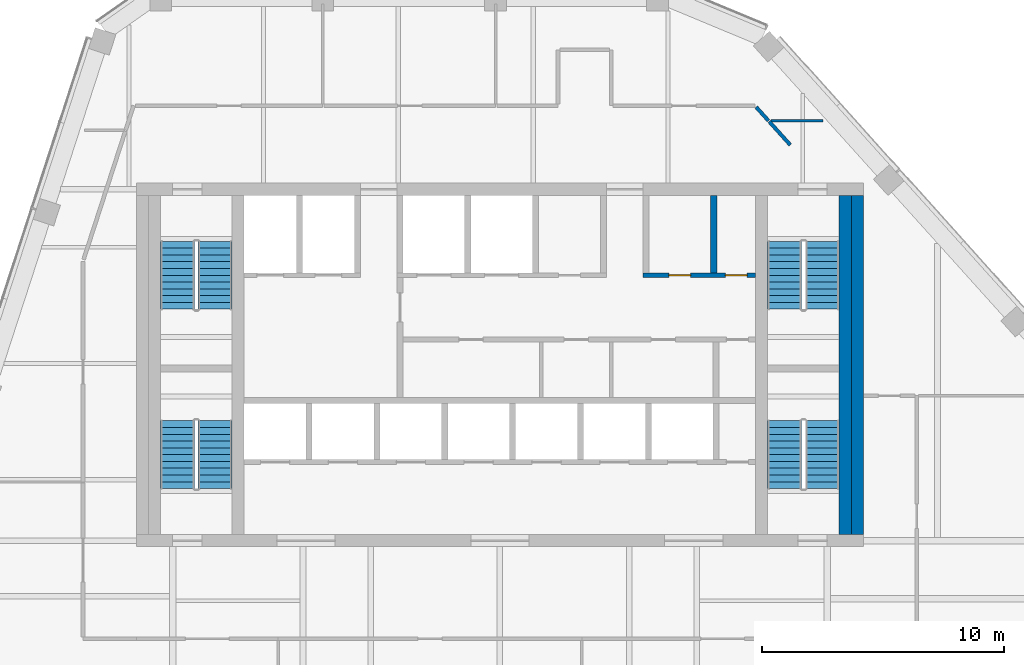
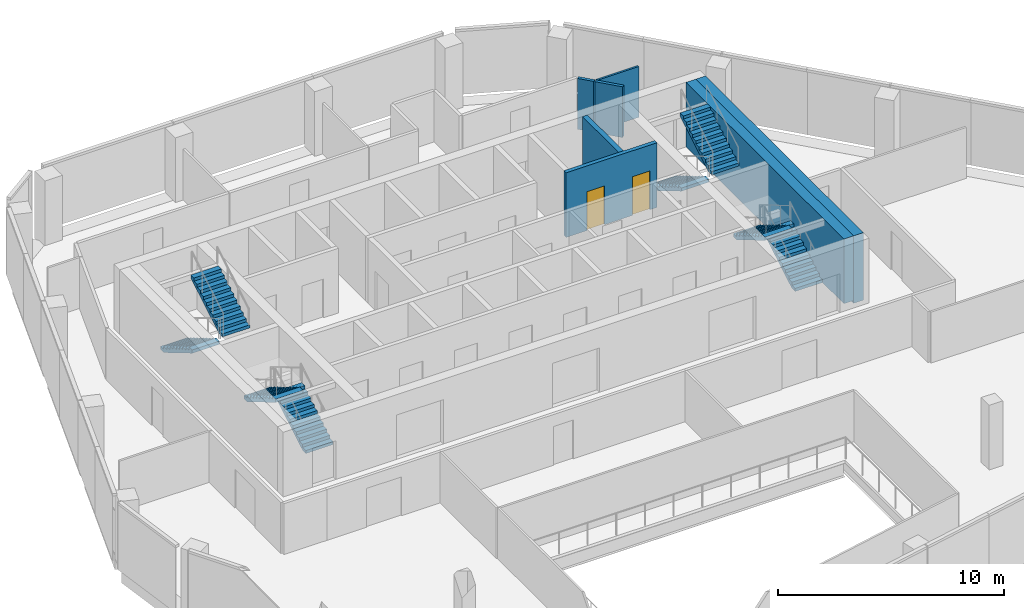
# One storey, part 10 of 15: 8 stair flights, 7 walls, 2 doors, 2 openings, 4 elements without a shape of their own.
"""IFC4 building model written with IfcOpenShell, lengths in metres."""

from ifc_helpers import new_model, si_unit, direction, frame, frame_2d, origin, place, context, subcontext, project, spatial, polyline, rectangle, outline, extrude, material, layer, layer_set, type_object, element, fill, aggregate, save


model = new_model("IFC4")

# Units and contexts
model_context = context("Model", 3, precision=1e-05, world=origin(), true_north=direction((0.0, 1.0)))
body_context = subcontext(model_context, "Body", "Model", "MODEL_VIEW")
ifc_project = project(units=[si_unit("LENGTHUNIT", "METRE"), si_unit("AREAUNIT", "SQUARE_METRE"), si_unit("VOLUMEUNIT", "CUBIC_METRE"), si_unit("PLANEANGLEUNIT", "RADIAN"), si_unit("MASSUNIT", "GRAM", prefix="KILO")], contexts=[model_context])

# Site, building, storey
site_placement = place(None, origin())
site = spatial("IfcSite", under=ifc_project, at=site_placement, CompositionType="ELEMENT")
building_placement = place(site_placement, origin())
building = spatial("IfcBuilding", under=site, at=building_placement, Name="Isthmus Gate Tower", CompositionType="ELEMENT")
storey_placement = place(building_placement, frame((0.0, 0.0, 271.89990234375)))
storey = spatial("IfcBuildingStorey", under=building, at=storey_placement, Name="L69", CompositionType="ELEMENT", Elevation=271.89990234375)

# Walls
ifc_material_1 = material(Name="Gypsum board on steel studs, fire-rated", Category="steel")
ifc_layer_1 = layer(ifc_material_1, 0.14990234375)
ifc_layer_set_1 = layer_set([ifc_layer_1], Name="CORRIDOR WALL 150 60 MIN")
wall_type_1 = type_object("IfcWallType", Name="CORRIDOR WALL 150 60 MIN", PredefinedType="PARTITIONING", material=ifc_layer_set_1)
wall_1_placement = place(storey_placement, frame((10.572265625, 18.144287109375, 0.0), z_axis=(0.0, 0.0, 1.0), x_axis=(0.668982500835, -0.743278153572, 0.0)))
element("IfcWall", 1, at=wall_1_placement, inside=storey, type_object=wall_type_1, Name="L69 Corridor Wall 150 60 Min", PredefinedType="PARTITIONING", context=body_context, shape_type="SweptSolid", body=[
    extrude(rectangle(XDim=0.759033203125, YDim=0.14990234375, at=frame_2d((0.37939453125, 0.0))), origin(), (0.0, 0.0, 1.0), 2.750732421875),
])
wall_2_placement = place(storey_placement, frame((11.113525390625, 17.542724609375, 0.0), z_axis=(0.0, 0.0, 1.0), x_axis=(0.66906841405, -0.743200818972, 0.0)))
element("IfcWall", 2, at=wall_2_placement, inside=storey, type_object=wall_type_1, Name="L69 Corridor Wall 150 60 Min", PredefinedType="PARTITIONING", context=body_context, shape_type="SweptSolid", body=[
    extrude(rectangle(XDim=1.30078125, YDim=0.14990234375, at=frame_2d((0.650390625, 0.0))), origin(), (0.0, 0.0, 1.0), 2.750732421875),
])
ifc_material_2 = material(Name="Concrete f'c 50 MPa", Category="concrete")
ifc_layer_2 = layer(ifc_material_2, 0.5)
ifc_layer_set_2 = layer_set([ifc_layer_2], Name="RC CORE WALL 500 F'C 50")
wall_type_2 = type_object("IfcWallType", Name="RC CORE WALL 500 F'C 50", PredefinedType="SOLIDWALL", material=ifc_layer_set_2)
wall_3_placement = place(storey_placement, frame((14.75, 0.5, -0.14990234375), z_axis=(0.0, 0.0, 1.0), x_axis=(0.0, 1.0, 0.0)))
element("IfcWall", 3, at=wall_3_placement, inside=storey, type_object=wall_type_2, Name="str-corewall-L69-E", PredefinedType="SOLIDWALL", context=body_context, shape_type="SweptSolid", body=[
    extrude(rectangle(XDim=14.0, YDim=0.5, at=frame_2d((7.0, 0.0))), origin(), (0.0, 0.0, 1.0), 3.64990234375),
])
ifc_material_3 = material(Name="Gypsum board on steel studs, fire-rated", Category="steel")
ifc_layer_3 = layer(ifc_material_3, 0.10009765625)
ifc_layer_set_3 = layer_set([ifc_layer_3], Name="ROOM PARTITION 100 30 MIN")
wall_type_3 = type_object("IfcWallType", Name="ROOM PARTITION 100 30 MIN", PredefinedType="PARTITIONING", material=ifc_layer_set_3)
wall_4_placement = place(storey_placement, frame((11.180908203125, 17.580078125, 0.0), z_axis=(0.0, 0.0, 1.0), x_axis=(1.0, 0.0, 0.0)))
element("IfcWall", 4, at=wall_4_placement, inside=storey, type_object=wall_type_3, Name="L69 Room Partition 100 30 Min", PredefinedType="PARTITIONING", context=body_context, shape_type="SweptSolid", body=[
    extrude(rectangle(XDim=2.156005859375, YDim=0.10009765625, at=frame_2d((1.078125, 0.0))), origin(), (0.0, 0.0, 1.0), 2.750732421875),
])

# Wall, openings, doors
ifc_material_4 = material(Name="Fire-rated blockwork masonry, 15 MPa", Category="masonry")
ifc_layer_4 = layer(ifc_material_4, 0.199951171875)
ifc_layer_set_4 = layer_set([ifc_layer_4], Name="SHAFT FRONT WALL 200 120 MIN")
wall_type_4 = type_object("IfcWallType", Name="SHAFT FRONT WALL 200 120 MIN", PredefinedType="PARTITIONING", material=ifc_layer_set_4)
wall_5_placement = place(storey_placement, frame((5.89990234375, 11.199951171875, 0.0), z_axis=(0.0, 0.0, 1.0), x_axis=(1.0, 0.0, 0.0)))
wall_5 = element("IfcWall", 5, at=wall_5_placement, inside=storey, type_object=wall_type_4, Name="L69 SHAFT FRONT WALL 200 120 MIN", PredefinedType="PARTITIONING", context=body_context, shape_type="SweptSolid", body=[
    extrude(rectangle(XDim=4.650146484375, YDim=0.199951171875, at=frame_2d((2.3251953125, 0.0))), origin(), (0.0, 0.0, 1.0), 3.5),
])
opening_1_placement = place(wall_5_placement, frame((1.074951171875, 0.0, 0.0)))
opening_1 = element("IfcOpeningElement", 6, at=opening_1_placement, cuts=wall_5, Name="Opening DC-A19-08", PredefinedType="OPENING", context=body_context, shape_type="SweptSolid", body=[
    extrude(rectangle(XDim=0.89990234375, YDim=2.10009765625, at=frame_2d((0.449951171875, 1.050048828125))), frame((0.0, 0.10986328125, 0.0), z_axis=(0.0, -1.0, 0.0), x_axis=(1.0, 0.0, 0.0)), (0.0, 0.0, 1.0), 0.219970703125),
])
opening_2_placement = place(wall_5_placement, frame((3.39990234375, 0.0, 0.0)))
opening_2 = element("IfcOpeningElement", 7, at=opening_2_placement, cuts=wall_5, Name="Opening DC-A19-09", PredefinedType="OPENING", context=body_context, shape_type="SweptSolid", body=[
    extrude(rectangle(XDim=0.89990234375, YDim=2.10009765625, at=frame_2d((0.449951171875, 1.050048828125))), frame((0.0, 0.10986328125, 0.0), z_axis=(0.0, -1.0, 0.0), x_axis=(1.0, 0.0, 0.0)), (0.0, 0.0, 1.0), 0.219970703125),
])
ifc_material_5 = material(Name="Steel door leaf, fire-rated", Category="steel")
door_type_1 = type_object("IfcDoorType", Name="FIRE DOOR 900 X 2100 60 MIN", OperationType="SINGLE_SWING_LEFT", PredefinedType="DOOR", material=ifc_material_5)
door_1_placement = place(opening_1_placement, origin())
door_1 = element("IfcDoor", 8, at=door_1_placement, inside=storey, type_object=door_type_1, Name="Stationery Store Door", OperationType="SINGLE_SWING_RIGHT", OverallHeight=2.10009765625, OverallWidth=0.89990234375, PredefinedType="DOOR", context=body_context, shape_type="SweptSolid", body=[
    extrude(rectangle(XDim=0.89990234375, YDim=2.10009765625, at=frame_2d((0.449951171875, 1.050048828125))), frame((0.0, 0.02490234375, 0.0), z_axis=(0.0, -1.0, 0.0), x_axis=(1.0, 0.0, 0.0)), (0.0, 0.0, 1.0), 0.050048828125),
])
fill(opening_1, door_1)
ifc_material_6 = material(Name="Steel door leaf, fire-rated", Category="steel")
door_type_2 = type_object("IfcDoorType", Name="RISER FIRE DOOR 900 X 2100 90 MIN", OperationType="SINGLE_SWING_LEFT", PredefinedType="DOOR", material=ifc_material_6)
door_2_placement = place(opening_2_placement, origin())
door_2 = element("IfcDoor", 9, at=door_2_placement, inside=storey, type_object=door_type_2, Name="Riser Door", OperationType="SINGLE_SWING_LEFT", OverallHeight=2.10009765625, OverallWidth=0.89990234375, PredefinedType="DOOR", context=body_context, shape_type="SweptSolid", body=[
    extrude(rectangle(XDim=0.89990234375, YDim=2.10009765625, at=frame_2d((0.449951171875, 1.050048828125))), frame((0.0, 0.02490234375, 0.0), z_axis=(0.0, -1.0, 0.0), x_axis=(1.0, 0.0, 0.0)), (0.0, 0.0, 1.0), 0.050048828125),
])
fill(opening_2, door_2)

# Walls
ifc_material_7 = material(Name="Fire-rated blockwork masonry, 15 MPa", Category="masonry")
ifc_layer_5 = layer(ifc_material_7, 0.25)
ifc_layer_set_5 = layer_set([ifc_layer_5], Name="SHAFT WALL 250 120 MIN")
wall_type_5 = type_object("IfcWallType", Name="SHAFT WALL 250 120 MIN", PredefinedType="PARTITIONING", material=ifc_layer_set_5)
wall_6_placement = place(storey_placement, frame((8.824951171875, 11.300048828125, 0.0), z_axis=(0.0, 0.0, 1.0), x_axis=(0.0, 1.0, 0.0)))
element("IfcWall", 10, at=wall_6_placement, inside=storey, type_object=wall_type_5, Name="L69 SHAFT WALL 250 120 MIN", PredefinedType="PARTITIONING", context=body_context, shape_type="SweptSolid", body=[
    extrude(rectangle(XDim=3.199951171875, YDim=0.25, at=frame_2d((1.60009765625, 0.0))), origin(), (0.0, 0.0, 1.0), 3.5),
])
ifc_material_8 = material(Name="Concrete f'c 40 MPa", Category="concrete")
ifc_layer_6 = layer(ifc_material_8, 0.5)
ifc_layer_set_6 = layer_set([ifc_layer_6], Name="STAIR ENCLOSURE WALL 500 180 MIN")
wall_type_6 = type_object("IfcWallType", Name="STAIR ENCLOSURE WALL 500 180 MIN", PredefinedType="SOLIDWALL", material=ifc_layer_set_6)
wall_7_placement = place(storey_placement, frame((14.25, 0.5, 0.0), z_axis=(0.0, 0.0, 1.0), x_axis=(0.0, 1.0, 0.0)))
element("IfcWall", 11, at=wall_7_placement, inside=storey, type_object=wall_type_6, Name="L69 STAIR ENCLOSURE WALL 500 180 MIN", PredefinedType="SOLIDWALL", context=body_context, shape_type="SweptSolid", body=[
    extrude(rectangle(XDim=14.0, YDim=0.5, at=frame_2d((7.0, 0.0))), origin(), (0.0, 0.0, 1.0), 3.5),
])

# Stair, stair flights
ifc_material_9 = material(Name="Concrete f'c 40 MPa", Category="concrete")
stair_type = type_object("IfcStairType", Name="CORE STAIR 22 RISERS", PredefinedType="HALF_TURN_STAIR", material=ifc_material_9)
stair_1_placement = place(storey_placement, origin())
stair_1 = element("IfcStair", 12, at=stair_1_placement, inside=storey, type_object=stair_type, Name="L69 Exit Stair 1", PredefinedType="HALF_TURN_STAIR")
ifc_material_10 = material(Name="Concrete f'c 40 MPa", Category="concrete")
stair_flight_type = type_object("IfcStairFlightType", Name="STAIR FLIGHT RC 1400", PredefinedType="STRAIGHT", material=ifc_material_10)
stair_flight_1_placement = place(storey_placement, frame((-13.300048828125, 12.60009765625, 0.0), z_axis=(0.0, 0.0, 1.0), x_axis=(0.0, -1.0, 0.0)))
stair_flight_1 = element("IfcStairFlight", 13, at=stair_flight_1_placement, type_object=stair_flight_type, Name="ST1 flight 1", NumberOfRisers=11, NumberOfTreads=10, PredefinedType="STRAIGHT", RiserHeight=0.165909091, TreadLength=0.28, context=body_context, shape_type="SweptSolid", body=[
    extrude(outline(polyline([(0.0, 0.0), (0.0, 0.166015625), (0.280029296875, 0.166015625), (0.280029296875, 0.331787109375), (0.56005859375, 0.331787109375), (0.56005859375, 0.497802734375), (0.840087890625, 0.497802734375), (0.840087890625, 0.66357421875), (1.1201171875, 0.66357421875), (1.1201171875, 0.82958984375), (1.39990234375, 0.82958984375), (1.39990234375, 0.995361328125), (1.679931640625, 0.995361328125), (1.679931640625, 1.161376953125), (1.9599609375, 1.161376953125), (1.9599609375, 1.327392578125), (2.239990234375, 1.327392578125), (2.239990234375, 1.4931640625), (2.52001953125, 1.4931640625), (2.52001953125, 1.6591796875), (2.800048828125, 1.6591796875), (2.800048828125, 1.824951171875), (2.800048828125, 1.48486328125), (0.2939453125, 0.0), (0.0, 0.0)])), frame((0.0, 0.699951171875, 0.0), z_axis=(0.0, -1.0, 0.0), x_axis=(1.0, 0.0, 0.0)), (0.0, 0.0, 1.0), 1.39990234375),
])
stair_flight_2_placement = place(storey_placement, frame((-11.75, 9.800048828125, 1.8251953125), z_axis=(0.0, 0.0, 1.0), x_axis=(0.0, 1.0, 0.0)))
stair_flight_2 = element("IfcStairFlight", 14, at=stair_flight_2_placement, type_object=stair_flight_type, Name="ST1 flight 2", NumberOfRisers=11, NumberOfTreads=10, PredefinedType="STRAIGHT", RiserHeight=0.165909091, TreadLength=0.28, context=body_context, shape_type="SweptSolid", body=[
    extrude(outline(polyline([(0.0, 0.0), (0.0, 0.166015625), (0.280029296875, 0.166015625), (0.280029296875, 0.331787109375), (0.56005859375, 0.331787109375), (0.56005859375, 0.497802734375), (0.840087890625, 0.497802734375), (0.840087890625, 0.66357421875), (1.1201171875, 0.66357421875), (1.1201171875, 0.82958984375), (1.39990234375, 0.82958984375), (1.39990234375, 0.995361328125), (1.679931640625, 0.995361328125), (1.679931640625, 1.161376953125), (1.9599609375, 1.161376953125), (1.9599609375, 1.327392578125), (2.239990234375, 1.327392578125), (2.239990234375, 1.4931640625), (2.52001953125, 1.4931640625), (2.52001953125, 1.6591796875), (2.800048828125, 1.6591796875), (2.800048828125, 1.824951171875), (2.800048828125, 1.48486328125), (0.2939453125, 0.0), (0.0, 0.0)])), frame((0.0, 0.699951171875, 0.0), z_axis=(0.0, -1.0, 0.0), x_axis=(1.0, 0.0, 0.0)), (0.0, 0.0, 1.0), 1.39990234375),
])
aggregate(stair_1, [stair_flight_1, stair_flight_2])

stair_2_placement = place(storey_placement, origin())
stair_2 = element("IfcStair", 15, at=stair_2_placement, inside=storey, type_object=stair_type, Name="L69 Exit Stair 2", PredefinedType="HALF_TURN_STAIR")
stair_flight_3_placement = place(storey_placement, frame((11.75, 12.60009765625, 0.0), z_axis=(0.0, 0.0, 1.0), x_axis=(0.0, -1.0, 0.0)))
stair_flight_3 = element("IfcStairFlight", 16, at=stair_flight_3_placement, type_object=stair_flight_type, Name="ST2 flight 1", NumberOfRisers=11, NumberOfTreads=10, PredefinedType="STRAIGHT", RiserHeight=0.165909091, TreadLength=0.28, context=body_context, shape_type="SweptSolid", body=[
    extrude(outline(polyline([(0.0, 0.0), (0.0, 0.166015625), (0.280029296875, 0.166015625), (0.280029296875, 0.331787109375), (0.56005859375, 0.331787109375), (0.56005859375, 0.497802734375), (0.840087890625, 0.497802734375), (0.840087890625, 0.66357421875), (1.1201171875, 0.66357421875), (1.1201171875, 0.82958984375), (1.39990234375, 0.82958984375), (1.39990234375, 0.995361328125), (1.679931640625, 0.995361328125), (1.679931640625, 1.161376953125), (1.9599609375, 1.161376953125), (1.9599609375, 1.327392578125), (2.239990234375, 1.327392578125), (2.239990234375, 1.4931640625), (2.52001953125, 1.4931640625), (2.52001953125, 1.6591796875), (2.800048828125, 1.6591796875), (2.800048828125, 1.824951171875), (2.800048828125, 1.48486328125), (0.2939453125, 0.0), (0.0, 0.0)])), frame((0.0, 0.699951171875, 0.0), z_axis=(0.0, -1.0, 0.0), x_axis=(1.0, 0.0, 0.0)), (0.0, 0.0, 1.0), 1.39990234375),
])
stair_flight_4_placement = place(storey_placement, frame((13.300048828125, 9.800048828125, 1.8251953125), z_axis=(0.0, 0.0, 1.0), x_axis=(0.0, 1.0, 0.0)))
stair_flight_4 = element("IfcStairFlight", 17, at=stair_flight_4_placement, type_object=stair_flight_type, Name="ST2 flight 2", NumberOfRisers=11, NumberOfTreads=10, PredefinedType="STRAIGHT", RiserHeight=0.165909091, TreadLength=0.28, context=body_context, shape_type="SweptSolid", body=[
    extrude(outline(polyline([(0.0, 0.0), (0.0, 0.166015625), (0.280029296875, 0.166015625), (0.280029296875, 0.331787109375), (0.56005859375, 0.331787109375), (0.56005859375, 0.497802734375), (0.840087890625, 0.497802734375), (0.840087890625, 0.66357421875), (1.1201171875, 0.66357421875), (1.1201171875, 0.82958984375), (1.39990234375, 0.82958984375), (1.39990234375, 0.995361328125), (1.679931640625, 0.995361328125), (1.679931640625, 1.161376953125), (1.9599609375, 1.161376953125), (1.9599609375, 1.327392578125), (2.239990234375, 1.327392578125), (2.239990234375, 1.4931640625), (2.52001953125, 1.4931640625), (2.52001953125, 1.6591796875), (2.800048828125, 1.6591796875), (2.800048828125, 1.824951171875), (2.800048828125, 1.48486328125), (0.2939453125, 0.0), (0.0, 0.0)])), frame((0.0, 0.699951171875, 0.0), z_axis=(0.0, -1.0, 0.0), x_axis=(1.0, 0.0, 0.0)), (0.0, 0.0, 1.0), 1.39990234375),
])
aggregate(stair_2, [stair_flight_3, stair_flight_4])

stair_3_placement = place(storey_placement, origin())
stair_3 = element("IfcStair", 18, at=stair_3_placement, inside=storey, type_object=stair_type, Name="L69 Exit Stair 7", PredefinedType="HALF_TURN_STAIR")
stair_flight_5_placement = place(storey_placement, frame((-11.75, 2.39990234375, 0.0), z_axis=(0.0, 0.0, 1.0), x_axis=(0.0, 1.0, 0.0)))
stair_flight_5 = element("IfcStairFlight", 19, at=stair_flight_5_placement, type_object=stair_flight_type, Name="ST7 flight 1", NumberOfRisers=11, NumberOfTreads=10, PredefinedType="STRAIGHT", RiserHeight=0.165909091, TreadLength=0.28, context=body_context, shape_type="SweptSolid", body=[
    extrude(outline(polyline([(0.0, 0.0), (0.0, 0.166015625), (0.280029296875, 0.166015625), (0.280029296875, 0.331787109375), (0.56005859375, 0.331787109375), (0.56005859375, 0.497802734375), (0.840087890625, 0.497802734375), (0.840087890625, 0.66357421875), (1.1201171875, 0.66357421875), (1.1201171875, 0.82958984375), (1.39990234375, 0.82958984375), (1.39990234375, 0.995361328125), (1.679931640625, 0.995361328125), (1.679931640625, 1.161376953125), (1.9599609375, 1.161376953125), (1.9599609375, 1.327392578125), (2.239990234375, 1.327392578125), (2.239990234375, 1.4931640625), (2.52001953125, 1.4931640625), (2.52001953125, 1.6591796875), (2.800048828125, 1.6591796875), (2.800048828125, 1.824951171875), (2.800048828125, 1.48486328125), (0.2939453125, 0.0), (0.0, 0.0)])), frame((0.0, 0.699951171875, 0.0), z_axis=(0.0, -1.0, 0.0), x_axis=(1.0, 0.0, 0.0)), (0.0, 0.0, 1.0), 1.39990234375),
])
stair_flight_6_placement = place(storey_placement, frame((-13.300048828125, 5.199951171875, 1.8251953125), z_axis=(0.0, 0.0, 1.0), x_axis=(0.0, -1.0, 0.0)))
stair_flight_6 = element("IfcStairFlight", 20, at=stair_flight_6_placement, type_object=stair_flight_type, Name="ST7 flight 2", NumberOfRisers=11, NumberOfTreads=10, PredefinedType="STRAIGHT", RiserHeight=0.165909091, TreadLength=0.28, context=body_context, shape_type="SweptSolid", body=[
    extrude(outline(polyline([(0.0, 0.0), (0.0, 0.166015625), (0.280029296875, 0.166015625), (0.280029296875, 0.331787109375), (0.56005859375, 0.331787109375), (0.56005859375, 0.497802734375), (0.840087890625, 0.497802734375), (0.840087890625, 0.66357421875), (1.1201171875, 0.66357421875), (1.1201171875, 0.82958984375), (1.39990234375, 0.82958984375), (1.39990234375, 0.995361328125), (1.679931640625, 0.995361328125), (1.679931640625, 1.161376953125), (1.9599609375, 1.161376953125), (1.9599609375, 1.327392578125), (2.239990234375, 1.327392578125), (2.239990234375, 1.4931640625), (2.52001953125, 1.4931640625), (2.52001953125, 1.6591796875), (2.800048828125, 1.6591796875), (2.800048828125, 1.824951171875), (2.800048828125, 1.48486328125), (0.2939453125, 0.0), (0.0, 0.0)])), frame((0.0, 0.699951171875, 0.0), z_axis=(0.0, -1.0, 0.0), x_axis=(1.0, 0.0, 0.0)), (0.0, 0.0, 1.0), 1.39990234375),
])
aggregate(stair_3, [stair_flight_5, stair_flight_6])

stair_4_placement = place(storey_placement, origin())
stair_4 = element("IfcStair", 21, at=stair_4_placement, inside=storey, type_object=stair_type, Name="L69 Exit Stair 8", PredefinedType="HALF_TURN_STAIR")
stair_flight_7_placement = place(storey_placement, frame((13.300048828125, 2.39990234375, 0.0), z_axis=(0.0, 0.0, 1.0), x_axis=(0.0, 1.0, 0.0)))
stair_flight_7 = element("IfcStairFlight", 22, at=stair_flight_7_placement, type_object=stair_flight_type, Name="ST8 flight 1", NumberOfRisers=11, NumberOfTreads=10, PredefinedType="STRAIGHT", RiserHeight=0.165909091, TreadLength=0.28, context=body_context, shape_type="SweptSolid", body=[
    extrude(outline(polyline([(0.0, 0.0), (0.0, 0.166015625), (0.280029296875, 0.166015625), (0.280029296875, 0.331787109375), (0.56005859375, 0.331787109375), (0.56005859375, 0.497802734375), (0.840087890625, 0.497802734375), (0.840087890625, 0.66357421875), (1.1201171875, 0.66357421875), (1.1201171875, 0.82958984375), (1.39990234375, 0.82958984375), (1.39990234375, 0.995361328125), (1.679931640625, 0.995361328125), (1.679931640625, 1.161376953125), (1.9599609375, 1.161376953125), (1.9599609375, 1.327392578125), (2.239990234375, 1.327392578125), (2.239990234375, 1.4931640625), (2.52001953125, 1.4931640625), (2.52001953125, 1.6591796875), (2.800048828125, 1.6591796875), (2.800048828125, 1.824951171875), (2.800048828125, 1.48486328125), (0.2939453125, 0.0), (0.0, 0.0)])), frame((0.0, 0.699951171875, 0.0), z_axis=(0.0, -1.0, 0.0), x_axis=(1.0, 0.0, 0.0)), (0.0, 0.0, 1.0), 1.39990234375),
])
stair_flight_8_placement = place(storey_placement, frame((11.75, 5.199951171875, 1.8251953125), z_axis=(0.0, 0.0, 1.0), x_axis=(0.0, -1.0, 0.0)))
stair_flight_8 = element("IfcStairFlight", 23, at=stair_flight_8_placement, type_object=stair_flight_type, Name="ST8 flight 2", NumberOfRisers=11, NumberOfTreads=10, PredefinedType="STRAIGHT", RiserHeight=0.165909091, TreadLength=0.28, context=body_context, shape_type="SweptSolid", body=[
    extrude(outline(polyline([(0.0, 0.0), (0.0, 0.166015625), (0.280029296875, 0.166015625), (0.280029296875, 0.331787109375), (0.56005859375, 0.331787109375), (0.56005859375, 0.497802734375), (0.840087890625, 0.497802734375), (0.840087890625, 0.66357421875), (1.1201171875, 0.66357421875), (1.1201171875, 0.82958984375), (1.39990234375, 0.82958984375), (1.39990234375, 0.995361328125), (1.679931640625, 0.995361328125), (1.679931640625, 1.161376953125), (1.9599609375, 1.161376953125), (1.9599609375, 1.327392578125), (2.239990234375, 1.327392578125), (2.239990234375, 1.4931640625), (2.52001953125, 1.4931640625), (2.52001953125, 1.6591796875), (2.800048828125, 1.6591796875), (2.800048828125, 1.824951171875), (2.800048828125, 1.48486328125), (0.2939453125, 0.0), (0.0, 0.0)])), frame((0.0, 0.699951171875, 0.0), z_axis=(0.0, -1.0, 0.0), x_axis=(1.0, 0.0, 0.0)), (0.0, 0.0, 1.0), 1.39990234375),
])
aggregate(stair_4, [stair_flight_7, stair_flight_8])

save(model, "model.ifc")
